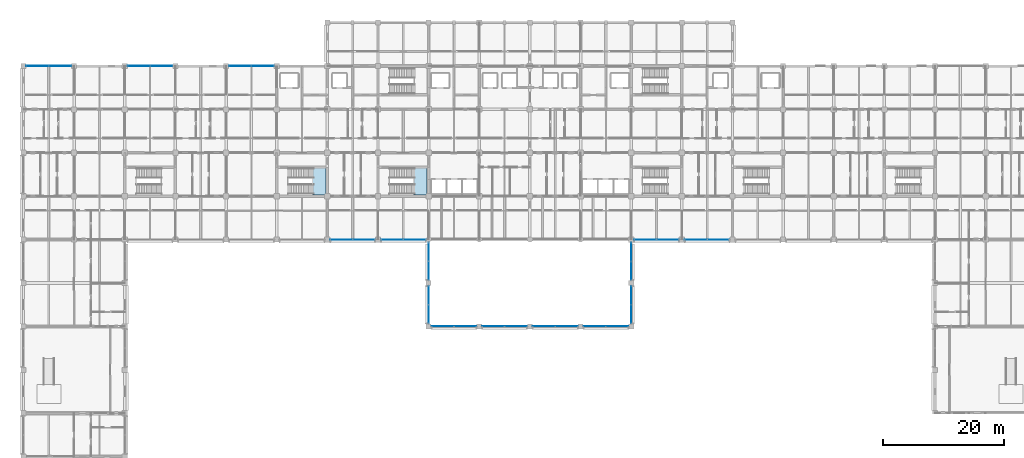
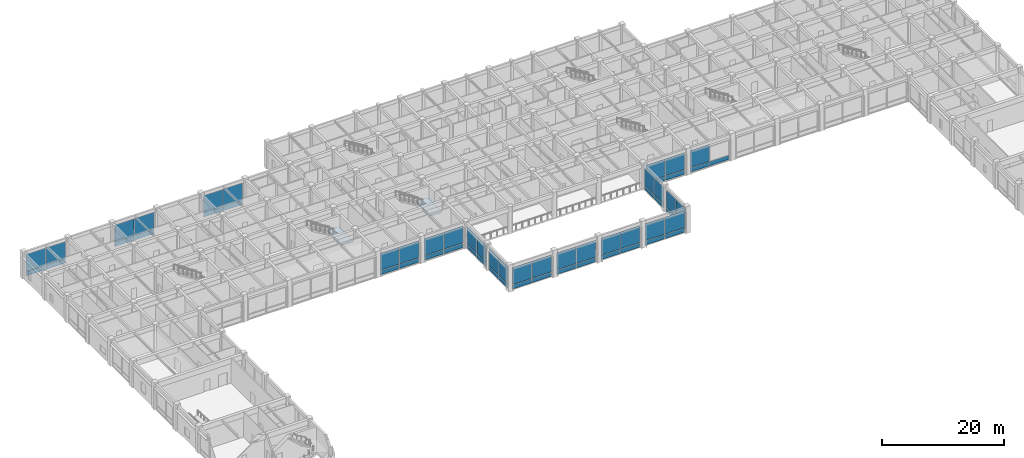
# One storey, part 18 of 51: 59 plates, 2 slabs, 17 elements without a shape of their own.
"""IFC4 building model written with IfcOpenShell, lengths in metres."""

from ifc_helpers import new_model, si_unit, direction, frame, origin, origin_2d, place, context, subcontext, project, spatial, polyline, rectangle, outline, extrude, material, layer, layer_set, type_object, element, aggregate, save


model = new_model("IFC4")

# Units and contexts
model_context = context("Model", 3, precision=1e-05, world=origin(), true_north=direction((0.0, 1.0)))
body_context = subcontext(model_context, "Body", "Model", "MODEL_VIEW")
ifc_project = project(units=[si_unit("LENGTHUNIT", "METRE"), si_unit("AREAUNIT", "SQUARE_METRE"), si_unit("VOLUMEUNIT", "CUBIC_METRE"), si_unit("PLANEANGLEUNIT", "RADIAN"), si_unit("MASSUNIT", "GRAM", prefix="KILO")], contexts=[model_context])

# Site, building, storey
site_placement = place(None, origin())
site = spatial("IfcSite", under=ifc_project, at=site_placement, CompositionType="ELEMENT")
building_placement = place(site_placement, origin())
building = spatial("IfcBuilding", under=site, at=building_placement, Name="Chengyuan Square Courthouse", CompositionType="ELEMENT")
storey_placement = place(building_placement, frame((0.0, 0.0, 10.800048828125)))
storey = spatial("IfcBuildingStorey", under=building, at=storey_placement, Name="L03", CompositionType="ELEMENT", Elevation=10.800048828125)

# Curtain wall, plates
ifc_material_1 = material(Name="Unitised Aluminium and Triple Low-E Glass", Category="aluminium")
ifc_layer_1 = layer(ifc_material_1, 0.199951171875)
ifc_layer_set_1 = layer_set([ifc_layer_1], Name="Unitised Aluminium and Triple Low-E Glass")
curtain_wall_type_1 = type_object("IfcCurtainWallType", Name="CW-07", PredefinedType="USERDEFINED", material=ifc_layer_set_1)
curtain_wall_1_placement = place(storey_placement, origin())
curtain_wall_1 = element("IfcCurtainWall", 1, at=curtain_wall_1_placement, inside=storey, type_object=curtain_wall_type_1, Name="Unitised Curtain Wall CW-L03-093", ObjectType="UNITISED CURTAIN WALL", PredefinedType="USERDEFINED")
ifc_material_2 = material(Name="Triple Low-E Insulating Glass", Category="glass")
ifc_layer_2 = layer(ifc_material_2, 0.02392578125)
ifc_layer_set_2 = layer_set([ifc_layer_2], Name="Triple Low-E Insulating Glass")
plate_type_1 = type_object("IfcPlateType", Name="CWP-01", PredefinedType="CURTAIN_PANEL", material=ifc_layer_set_2)
plate_1_placement = place(storey_placement, frame((2.330078125, 108.0, 0.06982421875), z_axis=(0.0, 0.0, 1.0), x_axis=(1.0, 0.0, 0.0)))
plate_1 = element("IfcPlate", 2, at=plate_1_placement, type_object=plate_type_1, Name="CW-07 panel 1.1", PredefinedType="CURTAIN_PANEL", context=body_context, shape_type="SweptSolid", body=[
    extrude(rectangle(XDim=3.669921875, YDim=0.02392578125, at=origin_2d()), origin(), (0.0, 0.0, 1.0), 0.844970703125),
])
plate_2_placement = place(storey_placement, frame((2.330078125, 108.0, 0.98486328125), z_axis=(0.0, 0.0, 1.0), x_axis=(1.0, 0.0, 0.0)))
plate_2 = element("IfcPlate", 3, at=plate_2_placement, type_object=plate_type_1, Name="CW-07 panel 1.2", PredefinedType="CURTAIN_PANEL", context=body_context, shape_type="SweptSolid", body=[
    extrude(rectangle(XDim=3.669921875, YDim=0.02392578125, at=origin_2d()), origin(), (0.0, 0.0, 1.0), 3.4150390625),
])
plate_3_placement = place(storey_placement, frame((6.070068359375, 108.0, 0.06982421875), z_axis=(0.0, 0.0, 1.0), x_axis=(1.0, 0.0, 0.0)))
plate_3 = element("IfcPlate", 4, at=plate_3_placement, type_object=plate_type_1, Name="CW-07 panel 2.1", PredefinedType="CURTAIN_PANEL", context=body_context, shape_type="SweptSolid", body=[
    extrude(rectangle(XDim=3.669921875, YDim=0.02392578125, at=origin_2d()), origin(), (0.0, 0.0, 1.0), 0.844970703125),
])
plate_4_placement = place(storey_placement, frame((6.070068359375, 108.0, 0.98486328125), z_axis=(0.0, 0.0, 1.0), x_axis=(1.0, 0.0, 0.0)))
plate_4 = element("IfcPlate", 5, at=plate_4_placement, type_object=plate_type_1, Name="CW-07 panel 2.2", PredefinedType="CURTAIN_PANEL", context=body_context, shape_type="SweptSolid", body=[
    extrude(rectangle(XDim=3.669921875, YDim=0.02392578125, at=origin_2d()), origin(), (0.0, 0.0, 1.0), 3.4150390625),
])
aggregate(curtain_wall_1, [plate_1, plate_2, plate_3, plate_4])

curtain_wall_2_placement = place(storey_placement, origin())
curtain_wall_2 = element("IfcCurtainWall", 6, at=curtain_wall_2_placement, inside=storey, type_object=curtain_wall_type_1, Name="Unitised Curtain Wall CW-L03-098", ObjectType="UNITISED CURTAIN WALL", PredefinedType="USERDEFINED")
plate_5_placement = place(storey_placement, frame((19.1298828125, 108.0, 0.06982421875), z_axis=(0.0, 0.0, 1.0), x_axis=(1.0, 0.0, 0.0)))
plate_5 = element("IfcPlate", 7, at=plate_5_placement, type_object=plate_type_1, Name="CW-07 panel 1.1", PredefinedType="CURTAIN_PANEL", context=body_context, shape_type="SweptSolid", body=[
    extrude(rectangle(XDim=3.669921875, YDim=0.02392578125, at=origin_2d()), origin(), (0.0, 0.0, 1.0), 0.844970703125),
])
plate_6_placement = place(storey_placement, frame((19.1298828125, 108.0, 0.98486328125), z_axis=(0.0, 0.0, 1.0), x_axis=(1.0, 0.0, 0.0)))
plate_6 = element("IfcPlate", 8, at=plate_6_placement, type_object=plate_type_1, Name="CW-07 panel 1.2", PredefinedType="CURTAIN_PANEL", context=body_context, shape_type="SweptSolid", body=[
    extrude(rectangle(XDim=3.669921875, YDim=0.02392578125, at=origin_2d()), origin(), (0.0, 0.0, 1.0), 3.4150390625),
])
plate_7_placement = place(storey_placement, frame((22.8701171875, 108.0, 0.06982421875), z_axis=(0.0, 0.0, 1.0), x_axis=(1.0, 0.0, 0.0)))
plate_7 = element("IfcPlate", 9, at=plate_7_placement, type_object=plate_type_1, Name="CW-07 panel 2.1", PredefinedType="CURTAIN_PANEL", context=body_context, shape_type="SweptSolid", body=[
    extrude(rectangle(XDim=3.669921875, YDim=0.02392578125, at=origin_2d()), origin(), (0.0, 0.0, 1.0), 0.844970703125),
])
plate_8_placement = place(storey_placement, frame((22.8701171875, 108.0, 0.98486328125), z_axis=(0.0, 0.0, 1.0), x_axis=(1.0, 0.0, 0.0)))
plate_8 = element("IfcPlate", 10, at=plate_8_placement, type_object=plate_type_1, Name="CW-07 panel 2.2", PredefinedType="CURTAIN_PANEL", context=body_context, shape_type="SweptSolid", body=[
    extrude(rectangle(XDim=3.669921875, YDim=0.02392578125, at=origin_2d()), origin(), (0.0, 0.0, 1.0), 3.4150390625),
])
aggregate(curtain_wall_2, [plate_5, plate_6, plate_7, plate_8])

curtain_wall_3_placement = place(storey_placement, origin())
curtain_wall_3 = element("IfcCurtainWall", 11, at=curtain_wall_3_placement, inside=storey, type_object=curtain_wall_type_1, Name="Unitised Curtain Wall CW-L03-101", ObjectType="UNITISED CURTAIN WALL", PredefinedType="USERDEFINED")
plate_9_placement = place(storey_placement, frame((35.929931640625, 108.0, 0.06982421875), z_axis=(0.0, 0.0, 1.0), x_axis=(1.0, 0.0, 0.0)))
plate_9 = element("IfcPlate", 12, at=plate_9_placement, type_object=plate_type_1, Name="CW-07 panel 1.1", PredefinedType="CURTAIN_PANEL", context=body_context, shape_type="SweptSolid", body=[
    extrude(rectangle(XDim=3.669921875, YDim=0.02392578125, at=origin_2d()), origin(), (0.0, 0.0, 1.0), 0.844970703125),
])
plate_10_placement = place(storey_placement, frame((35.929931640625, 108.0, 0.98486328125), z_axis=(0.0, 0.0, 1.0), x_axis=(1.0, 0.0, 0.0)))
plate_10 = element("IfcPlate", 13, at=plate_10_placement, type_object=plate_type_1, Name="CW-07 panel 1.2", PredefinedType="CURTAIN_PANEL", context=body_context, shape_type="SweptSolid", body=[
    extrude(rectangle(XDim=3.669921875, YDim=0.02392578125, at=origin_2d()), origin(), (0.0, 0.0, 1.0), 3.4150390625),
])
plate_11_placement = place(storey_placement, frame((39.669921875, 108.0, 0.06982421875), z_axis=(0.0, 0.0, 1.0), x_axis=(1.0, 0.0, 0.0)))
plate_11 = element("IfcPlate", 14, at=plate_11_placement, type_object=plate_type_1, Name="CW-07 panel 2.1", PredefinedType="CURTAIN_PANEL", context=body_context, shape_type="SweptSolid", body=[
    extrude(rectangle(XDim=3.669921875, YDim=0.02392578125, at=origin_2d()), origin(), (0.0, 0.0, 1.0), 0.844970703125),
])
plate_12_placement = place(storey_placement, frame((39.669921875, 108.0, 0.98486328125), z_axis=(0.0, 0.0, 1.0), x_axis=(1.0, 0.0, 0.0)))
plate_12 = element("IfcPlate", 15, at=plate_12_placement, type_object=plate_type_1, Name="CW-07 panel 2.2", PredefinedType="CURTAIN_PANEL", context=body_context, shape_type="SweptSolid", body=[
    extrude(rectangle(XDim=3.669921875, YDim=0.02392578125, at=origin_2d()), origin(), (0.0, 0.0, 1.0), 3.4150390625),
])
aggregate(curtain_wall_3, [plate_9, plate_10, plate_11, plate_12])

curtain_wall_4_placement = place(storey_placement, origin())
curtain_wall_4 = element("IfcCurtainWall", 16, at=curtain_wall_4_placement, inside=storey, type_object=curtain_wall_type_1, Name="Unitised Curtain Wall CW-L03-103", ObjectType="UNITISED CURTAIN WALL", PredefinedType="USERDEFINED")
plate_13_placement = place(storey_placement, frame((52.742431640625, 79.199951171875, 0.06982421875), z_axis=(0.0, 0.0, 1.0), x_axis=(1.0, 0.0, 0.0)))
plate_13 = element("IfcPlate", 17, at=plate_13_placement, type_object=plate_type_1, Name="CW-07 panel 1.1", PredefinedType="CURTAIN_PANEL", context=body_context, shape_type="SweptSolid", body=[
    extrude(rectangle(XDim=3.64501953125, YDim=0.02392578125, at=origin_2d()), origin(), (0.0, 0.0, 1.0), 0.844970703125),
])
plate_14_placement = place(storey_placement, frame((52.742431640625, 79.199951171875, 0.98486328125), z_axis=(0.0, 0.0, 1.0), x_axis=(1.0, 0.0, 0.0)))
plate_14 = element("IfcPlate", 18, at=plate_14_placement, type_object=plate_type_1, Name="CW-07 panel 1.2", PredefinedType="CURTAIN_PANEL", context=body_context, shape_type="SweptSolid", body=[
    extrude(rectangle(XDim=3.64501953125, YDim=0.02392578125, at=origin_2d()), origin(), (0.0, 0.0, 1.0), 3.4150390625),
])
plate_15_placement = place(storey_placement, frame((56.45751953125, 79.199951171875, 0.06982421875), z_axis=(0.0, 0.0, 1.0), x_axis=(1.0, 0.0, 0.0)))
plate_15 = element("IfcPlate", 19, at=plate_15_placement, type_object=plate_type_1, Name="CW-07 panel 2.1", PredefinedType="CURTAIN_PANEL", context=body_context, shape_type="SweptSolid", body=[
    extrude(rectangle(XDim=3.64501953125, YDim=0.02392578125, at=origin_2d()), origin(), (0.0, 0.0, 1.0), 0.844970703125),
])
plate_16_placement = place(storey_placement, frame((56.45751953125, 79.199951171875, 0.98486328125), z_axis=(0.0, 0.0, 1.0), x_axis=(1.0, 0.0, 0.0)))
plate_16 = element("IfcPlate", 20, at=plate_16_placement, type_object=plate_type_1, Name="CW-07 panel 2.2", PredefinedType="CURTAIN_PANEL", context=body_context, shape_type="SweptSolid", body=[
    extrude(rectangle(XDim=3.64501953125, YDim=0.02392578125, at=origin_2d()), origin(), (0.0, 0.0, 1.0), 3.4150390625),
])
aggregate(curtain_wall_4, [plate_13, plate_14, plate_15, plate_16])

curtain_wall_5_placement = place(storey_placement, origin())
curtain_wall_5 = element("IfcCurtainWall", 21, at=curtain_wall_5_placement, inside=storey, type_object=curtain_wall_type_1, Name="Unitised Curtain Wall CW-L03-104", ObjectType="UNITISED CURTAIN WALL", PredefinedType="USERDEFINED")
plate_17_placement = place(storey_placement, frame((61.148681640625, 79.199951171875, 0.06982421875), z_axis=(0.0, 0.0, 1.0), x_axis=(1.0, 0.0, 0.0)))
plate_17 = element("IfcPlate", 22, at=plate_17_placement, type_object=plate_type_1, Name="CW-07 panel 1.1", PredefinedType="CURTAIN_PANEL", context=body_context, shape_type="SweptSolid", body=[
    extrude(rectangle(XDim=3.657470703125, YDim=0.02392578125, at=origin_2d()), origin(), (0.0, 0.0, 1.0), 0.844970703125),
])
plate_18_placement = place(storey_placement, frame((61.148681640625, 79.199951171875, 0.98486328125), z_axis=(0.0, 0.0, 1.0), x_axis=(1.0, 0.0, 0.0)))
plate_18 = element("IfcPlate", 23, at=plate_18_placement, type_object=plate_type_1, Name="CW-07 panel 1.2", PredefinedType="CURTAIN_PANEL", context=body_context, shape_type="SweptSolid", body=[
    extrude(rectangle(XDim=3.657470703125, YDim=0.02392578125, at=origin_2d()), origin(), (0.0, 0.0, 1.0), 3.4150390625),
])
plate_19_placement = place(storey_placement, frame((64.876220703125, 79.199951171875, 0.06982421875), z_axis=(0.0, 0.0, 1.0), x_axis=(1.0, 0.0, 0.0)))
plate_19 = element("IfcPlate", 24, at=plate_19_placement, type_object=plate_type_1, Name="CW-07 panel 2.1", PredefinedType="CURTAIN_PANEL", context=body_context, shape_type="SweptSolid", body=[
    extrude(rectangle(XDim=3.657470703125, YDim=0.02392578125, at=origin_2d()), origin(), (0.0, 0.0, 1.0), 0.844970703125),
])
plate_20_placement = place(storey_placement, frame((64.876220703125, 79.199951171875, 0.98486328125), z_axis=(0.0, 0.0, 1.0), x_axis=(1.0, 0.0, 0.0)))
plate_20 = element("IfcPlate", 25, at=plate_20_placement, type_object=plate_type_1, Name="CW-07 panel 2.2", PredefinedType="CURTAIN_PANEL", context=body_context, shape_type="SweptSolid", body=[
    extrude(rectangle(XDim=3.657470703125, YDim=0.02392578125, at=origin_2d()), origin(), (0.0, 0.0, 1.0), 3.4150390625),
])
aggregate(curtain_wall_5, [plate_17, plate_18, plate_19, plate_20])

curtain_wall_6_placement = place(storey_placement, origin())
curtain_wall_6 = element("IfcCurtainWall", 26, at=curtain_wall_6_placement, inside=storey, type_object=curtain_wall_type_1, Name="Unitised Curtain Wall CW-L03-105", ObjectType="UNITISED CURTAIN WALL", PredefinedType="USERDEFINED")
plate_21_placement = place(storey_placement, frame((69.530029296875, 64.800048828125, 0.06982421875), z_axis=(0.0, 0.0, 1.0), x_axis=(1.0, 0.0, 0.0)))
plate_21 = element("IfcPlate", 27, at=plate_21_placement, type_object=plate_type_1, Name="CW-07 panel 1.1", PredefinedType="CURTAIN_PANEL", context=body_context, shape_type="SweptSolid", body=[
    extrude(rectangle(XDim=3.669921875, YDim=0.02392578125, at=origin_2d()), origin(), (0.0, 0.0, 1.0), 0.844970703125),
])
plate_22_placement = place(storey_placement, frame((69.530029296875, 64.800048828125, 0.98486328125), z_axis=(0.0, 0.0, 1.0), x_axis=(1.0, 0.0, 0.0)))
plate_22 = element("IfcPlate", 28, at=plate_22_placement, type_object=plate_type_1, Name="CW-07 panel 1.2", PredefinedType="CURTAIN_PANEL", context=body_context, shape_type="SweptSolid", body=[
    extrude(rectangle(XDim=3.669921875, YDim=0.02392578125, at=origin_2d()), origin(), (0.0, 0.0, 1.0), 3.4150390625),
])
plate_23_placement = place(storey_placement, frame((73.27001953125, 64.800048828125, 0.06982421875), z_axis=(0.0, 0.0, 1.0), x_axis=(1.0, 0.0, 0.0)))
plate_23 = element("IfcPlate", 29, at=plate_23_placement, type_object=plate_type_1, Name="CW-07 panel 2.1", PredefinedType="CURTAIN_PANEL", context=body_context, shape_type="SweptSolid", body=[
    extrude(rectangle(XDim=3.669921875, YDim=0.02392578125, at=origin_2d()), origin(), (0.0, 0.0, 1.0), 0.844970703125),
])
plate_24_placement = place(storey_placement, frame((73.27001953125, 64.800048828125, 0.98486328125), z_axis=(0.0, 0.0, 1.0), x_axis=(1.0, 0.0, 0.0)))
plate_24 = element("IfcPlate", 30, at=plate_24_placement, type_object=plate_type_1, Name="CW-07 panel 2.2", PredefinedType="CURTAIN_PANEL", context=body_context, shape_type="SweptSolid", body=[
    extrude(rectangle(XDim=3.669921875, YDim=0.02392578125, at=origin_2d()), origin(), (0.0, 0.0, 1.0), 3.4150390625),
])
aggregate(curtain_wall_6, [plate_21, plate_22, plate_23, plate_24])

curtain_wall_7_placement = place(storey_placement, origin())
curtain_wall_7 = element("IfcCurtainWall", 31, at=curtain_wall_7_placement, inside=storey, type_object=curtain_wall_type_1, Name="Unitised Curtain Wall CW-L03-108", ObjectType="UNITISED CURTAIN WALL", PredefinedType="USERDEFINED")
plate_25_placement = place(storey_placement, frame((77.929931640625, 64.800048828125, 0.06982421875), z_axis=(0.0, 0.0, 1.0), x_axis=(1.0, 0.0, 0.0)))
plate_25 = element("IfcPlate", 32, at=plate_25_placement, type_object=plate_type_1, Name="CW-07 panel 1.1", PredefinedType="CURTAIN_PANEL", context=body_context, shape_type="SweptSolid", body=[
    extrude(rectangle(XDim=3.669921875, YDim=0.02392578125, at=origin_2d()), origin(), (0.0, 0.0, 1.0), 0.844970703125),
])
plate_26_placement = place(storey_placement, frame((77.929931640625, 64.800048828125, 0.98486328125), z_axis=(0.0, 0.0, 1.0), x_axis=(1.0, 0.0, 0.0)))
plate_26 = element("IfcPlate", 33, at=plate_26_placement, type_object=plate_type_1, Name="CW-07 panel 1.2", PredefinedType="CURTAIN_PANEL", context=body_context, shape_type="SweptSolid", body=[
    extrude(rectangle(XDim=3.669921875, YDim=0.02392578125, at=origin_2d()), origin(), (0.0, 0.0, 1.0), 3.4150390625),
])
plate_27_placement = place(storey_placement, frame((81.669921875, 64.800048828125, 0.06982421875), z_axis=(0.0, 0.0, 1.0), x_axis=(1.0, 0.0, 0.0)))
plate_27 = element("IfcPlate", 34, at=plate_27_placement, type_object=plate_type_1, Name="CW-07 panel 2.1", PredefinedType="CURTAIN_PANEL", context=body_context, shape_type="SweptSolid", body=[
    extrude(rectangle(XDim=3.669921875, YDim=0.02392578125, at=origin_2d()), origin(), (0.0, 0.0, 1.0), 0.844970703125),
])
plate_28_placement = place(storey_placement, frame((81.669921875, 64.800048828125, 0.98486328125), z_axis=(0.0, 0.0, 1.0), x_axis=(1.0, 0.0, 0.0)))
plate_28 = element("IfcPlate", 35, at=plate_28_placement, type_object=plate_type_1, Name="CW-07 panel 2.2", PredefinedType="CURTAIN_PANEL", context=body_context, shape_type="SweptSolid", body=[
    extrude(rectangle(XDim=3.669921875, YDim=0.02392578125, at=origin_2d()), origin(), (0.0, 0.0, 1.0), 3.4150390625),
])
aggregate(curtain_wall_7, [plate_25, plate_26, plate_27, plate_28])

curtain_wall_8_placement = place(storey_placement, origin())
curtain_wall_8 = element("IfcCurtainWall", 36, at=curtain_wall_8_placement, inside=storey, type_object=curtain_wall_type_1, Name="Unitised Curtain Wall CW-L03-109", ObjectType="UNITISED CURTAIN WALL", PredefinedType="USERDEFINED")
plate_29_placement = place(storey_placement, frame((86.330078125, 64.800048828125, 0.06982421875), z_axis=(0.0, 0.0, 1.0), x_axis=(1.0, 0.0, 0.0)))
plate_29 = element("IfcPlate", 37, at=plate_29_placement, type_object=plate_type_1, Name="CW-07 panel 1.1", PredefinedType="CURTAIN_PANEL", context=body_context, shape_type="SweptSolid", body=[
    extrude(rectangle(XDim=3.669921875, YDim=0.02392578125, at=origin_2d()), origin(), (0.0, 0.0, 1.0), 0.844970703125),
])
plate_30_placement = place(storey_placement, frame((86.330078125, 64.800048828125, 0.98486328125), z_axis=(0.0, 0.0, 1.0), x_axis=(1.0, 0.0, 0.0)))
plate_30 = element("IfcPlate", 38, at=plate_30_placement, type_object=plate_type_1, Name="CW-07 panel 1.2", PredefinedType="CURTAIN_PANEL", context=body_context, shape_type="SweptSolid", body=[
    extrude(rectangle(XDim=3.669921875, YDim=0.02392578125, at=origin_2d()), origin(), (0.0, 0.0, 1.0), 3.4150390625),
])
plate_31_placement = place(storey_placement, frame((90.070068359375, 64.800048828125, 0.06982421875), z_axis=(0.0, 0.0, 1.0), x_axis=(1.0, 0.0, 0.0)))
plate_31 = element("IfcPlate", 39, at=plate_31_placement, type_object=plate_type_1, Name="CW-07 panel 2.1", PredefinedType="CURTAIN_PANEL", context=body_context, shape_type="SweptSolid", body=[
    extrude(rectangle(XDim=3.669921875, YDim=0.02392578125, at=origin_2d()), origin(), (0.0, 0.0, 1.0), 0.844970703125),
])
plate_32_placement = place(storey_placement, frame((90.070068359375, 64.800048828125, 0.98486328125), z_axis=(0.0, 0.0, 1.0), x_axis=(1.0, 0.0, 0.0)))
plate_32 = element("IfcPlate", 40, at=plate_32_placement, type_object=plate_type_1, Name="CW-07 panel 2.2", PredefinedType="CURTAIN_PANEL", context=body_context, shape_type="SweptSolid", body=[
    extrude(rectangle(XDim=3.669921875, YDim=0.02392578125, at=origin_2d()), origin(), (0.0, 0.0, 1.0), 3.4150390625),
])
aggregate(curtain_wall_8, [plate_29, plate_30, plate_31, plate_32])

curtain_wall_9_placement = place(storey_placement, origin())
curtain_wall_9 = element("IfcCurtainWall", 41, at=curtain_wall_9_placement, inside=storey, type_object=curtain_wall_type_1, Name="Unitised Curtain Wall CW-L03-110", ObjectType="UNITISED CURTAIN WALL", PredefinedType="USERDEFINED")
plate_33_placement = place(storey_placement, frame((94.72998046875, 64.800048828125, 0.06982421875), z_axis=(0.0, 0.0, 1.0), x_axis=(1.0, 0.0, 0.0)))
plate_33 = element("IfcPlate", 42, at=plate_33_placement, type_object=plate_type_1, Name="CW-07 panel 1.1", PredefinedType="CURTAIN_PANEL", context=body_context, shape_type="SweptSolid", body=[
    extrude(rectangle(XDim=3.669921875, YDim=0.02392578125, at=origin_2d()), origin(), (0.0, 0.0, 1.0), 0.844970703125),
])
plate_34_placement = place(storey_placement, frame((94.72998046875, 64.800048828125, 0.98486328125), z_axis=(0.0, 0.0, 1.0), x_axis=(1.0, 0.0, 0.0)))
plate_34 = element("IfcPlate", 43, at=plate_34_placement, type_object=plate_type_1, Name="CW-07 panel 1.2", PredefinedType="CURTAIN_PANEL", context=body_context, shape_type="SweptSolid", body=[
    extrude(rectangle(XDim=3.669921875, YDim=0.02392578125, at=origin_2d()), origin(), (0.0, 0.0, 1.0), 3.4150390625),
])
plate_35_placement = place(storey_placement, frame((98.469970703125, 64.800048828125, 0.06982421875), z_axis=(0.0, 0.0, 1.0), x_axis=(1.0, 0.0, 0.0)))
plate_35 = element("IfcPlate", 44, at=plate_35_placement, type_object=plate_type_1, Name="CW-07 panel 2.1", PredefinedType="CURTAIN_PANEL", context=body_context, shape_type="SweptSolid", body=[
    extrude(rectangle(XDim=3.669921875, YDim=0.02392578125, at=origin_2d()), origin(), (0.0, 0.0, 1.0), 0.844970703125),
])
plate_36_placement = place(storey_placement, frame((98.469970703125, 64.800048828125, 0.98486328125), z_axis=(0.0, 0.0, 1.0), x_axis=(1.0, 0.0, 0.0)))
plate_36 = element("IfcPlate", 45, at=plate_36_placement, type_object=plate_type_1, Name="CW-07 panel 2.2", PredefinedType="CURTAIN_PANEL", context=body_context, shape_type="SweptSolid", body=[
    extrude(rectangle(XDim=3.669921875, YDim=0.02392578125, at=origin_2d()), origin(), (0.0, 0.0, 1.0), 3.4150390625),
])
aggregate(curtain_wall_9, [plate_33, plate_34, plate_35, plate_36])

curtain_wall_10_placement = place(storey_placement, origin())
curtain_wall_10 = element("IfcCurtainWall", 46, at=curtain_wall_10_placement, inside=storey, type_object=curtain_wall_type_1, Name="Unitised Curtain Wall CW-L03-113", ObjectType="UNITISED CURTAIN WALL", PredefinedType="USERDEFINED")
plate_37_placement = place(storey_placement, frame((103.142578125, 79.199951171875, 0.06982421875), z_axis=(0.0, 0.0, 1.0), x_axis=(1.0, 0.0, 0.0)))
plate_37 = element("IfcPlate", 47, at=plate_37_placement, type_object=plate_type_1, Name="CW-07 panel 1.1", PredefinedType="CURTAIN_PANEL", context=body_context, shape_type="SweptSolid", body=[
    extrude(rectangle(XDim=3.64501953125, YDim=0.02392578125, at=origin_2d()), origin(), (0.0, 0.0, 1.0), 0.844970703125),
])
plate_38_placement = place(storey_placement, frame((103.142578125, 79.199951171875, 0.98486328125), z_axis=(0.0, 0.0, 1.0), x_axis=(1.0, 0.0, 0.0)))
plate_38 = element("IfcPlate", 48, at=plate_38_placement, type_object=plate_type_1, Name="CW-07 panel 1.2", PredefinedType="CURTAIN_PANEL", context=body_context, shape_type="SweptSolid", body=[
    extrude(rectangle(XDim=3.64501953125, YDim=0.02392578125, at=origin_2d()), origin(), (0.0, 0.0, 1.0), 3.4150390625),
])
plate_39_placement = place(storey_placement, frame((106.857421875, 79.199951171875, 0.06982421875), z_axis=(0.0, 0.0, 1.0), x_axis=(1.0, 0.0, 0.0)))
plate_39 = element("IfcPlate", 49, at=plate_39_placement, type_object=plate_type_1, Name="CW-07 panel 2.1", PredefinedType="CURTAIN_PANEL", context=body_context, shape_type="SweptSolid", body=[
    extrude(rectangle(XDim=3.64501953125, YDim=0.02392578125, at=origin_2d()), origin(), (0.0, 0.0, 1.0), 0.844970703125),
])
plate_40_placement = place(storey_placement, frame((106.857421875, 79.199951171875, 0.98486328125), z_axis=(0.0, 0.0, 1.0), x_axis=(1.0, 0.0, 0.0)))
plate_40 = element("IfcPlate", 50, at=plate_40_placement, type_object=plate_type_1, Name="CW-07 panel 2.2", PredefinedType="CURTAIN_PANEL", context=body_context, shape_type="SweptSolid", body=[
    extrude(rectangle(XDim=3.64501953125, YDim=0.02392578125, at=origin_2d()), origin(), (0.0, 0.0, 1.0), 3.4150390625),
])
aggregate(curtain_wall_10, [plate_37, plate_38, plate_39, plate_40])

curtain_wall_11_placement = place(storey_placement, origin())
curtain_wall_11 = element("IfcCurtainWall", 51, at=curtain_wall_11_placement, inside=storey, type_object=curtain_wall_type_1, Name="Unitised Curtain Wall CW-L03-114", ObjectType="UNITISED CURTAIN WALL", PredefinedType="USERDEFINED")
plate_41_placement = place(storey_placement, frame((111.54248046875, 79.199951171875, 0.06982421875), z_axis=(0.0, 0.0, 1.0), x_axis=(1.0, 0.0, 0.0)))
plate_41 = element("IfcPlate", 52, at=plate_41_placement, type_object=plate_type_1, Name="CW-07 panel 1.1", PredefinedType="CURTAIN_PANEL", context=body_context, shape_type="SweptSolid", body=[
    extrude(rectangle(XDim=3.64501953125, YDim=0.02392578125, at=origin_2d()), origin(), (0.0, 0.0, 1.0), 0.844970703125),
])
plate_42_placement = place(storey_placement, frame((111.54248046875, 79.199951171875, 0.98486328125), z_axis=(0.0, 0.0, 1.0), x_axis=(1.0, 0.0, 0.0)))
plate_42 = element("IfcPlate", 53, at=plate_42_placement, type_object=plate_type_1, Name="CW-07 panel 1.2", PredefinedType="CURTAIN_PANEL", context=body_context, shape_type="SweptSolid", body=[
    extrude(rectangle(XDim=3.64501953125, YDim=0.02392578125, at=origin_2d()), origin(), (0.0, 0.0, 1.0), 3.4150390625),
])
plate_43_placement = place(storey_placement, frame((115.257568359375, 79.199951171875, 0.06982421875), z_axis=(0.0, 0.0, 1.0), x_axis=(1.0, 0.0, 0.0)))
plate_43 = element("IfcPlate", 54, at=plate_43_placement, type_object=plate_type_1, Name="CW-07 panel 2.1", PredefinedType="CURTAIN_PANEL", context=body_context, shape_type="SweptSolid", body=[
    extrude(rectangle(XDim=3.64501953125, YDim=0.02392578125, at=origin_2d()), origin(), (0.0, 0.0, 1.0), 0.844970703125),
])
aggregate(curtain_wall_11, [plate_41, plate_42, plate_43])

ifc_layer_3 = layer(ifc_material_1, 0.219970703125)
ifc_layer_set_3 = layer_set([ifc_layer_3], Name="Unitised Aluminium and Triple Low-E Glass")
curtain_wall_type_2 = type_object("IfcCurtainWallType", Name="CW-20", PredefinedType="USERDEFINED", material=ifc_layer_set_3)
curtain_wall_12_placement = place(storey_placement, origin())
curtain_wall_12 = element("IfcCurtainWall", 55, at=curtain_wall_12_placement, inside=storey, type_object=curtain_wall_type_2, Name="Unitised Curtain Wall CW-L03-106", ObjectType="UNITISED CURTAIN WALL", PredefinedType="USERDEFINED")
ifc_layer_4 = layer(ifc_material_2, 0.031982421875)
ifc_layer_set_4 = layer_set([ifc_layer_4], Name="Triple Low-E Insulating Glass")
plate_type_2 = type_object("IfcPlateType", Name="CWP-02", PredefinedType="CURTAIN_PANEL", material=ifc_layer_set_4)
plate_44_placement = place(storey_placement, frame((67.199951171875, 66.83251953125, 0.079833984375), z_axis=(0.0, 0.0, 1.0), x_axis=(0.0, 1.0, 0.0)))
plate_44 = element("IfcPlate", 56, at=plate_44_placement, type_object=plate_type_2, Name="CW-20 panel 1.1", PredefinedType="CURTAIN_PANEL", context=body_context, shape_type="SweptSolid", body=[
    extrude(rectangle(XDim=3.054931640625, YDim=0.031982421875, at=origin_2d()), origin(), (0.0, 0.0, 1.0), 0.830078125),
])
plate_45_placement = place(storey_placement, frame((67.199951171875, 66.83251953125, 0.989990234375), z_axis=(0.0, 0.0, 1.0), x_axis=(0.0, 1.0, 0.0)))
plate_45 = element("IfcPlate", 57, at=plate_45_placement, type_object=plate_type_2, Name="CW-20 panel 1.2", PredefinedType="CURTAIN_PANEL", context=body_context, shape_type="SweptSolid", body=[
    extrude(rectangle(XDim=3.054931640625, YDim=0.031982421875, at=origin_2d()), origin(), (0.0, 0.0, 1.0), 3.39990234375),
])
plate_46_placement = place(storey_placement, frame((67.199951171875, 69.967529296875, 0.079833984375), z_axis=(0.0, 0.0, 1.0), x_axis=(0.0, 1.0, 0.0)))
plate_46 = element("IfcPlate", 58, at=plate_46_placement, type_object=plate_type_2, Name="CW-20 panel 2.1", PredefinedType="CURTAIN_PANEL", context=body_context, shape_type="SweptSolid", body=[
    extrude(rectangle(XDim=3.054931640625, YDim=0.031982421875, at=origin_2d()), origin(), (0.0, 0.0, 1.0), 0.830078125),
])
plate_47_placement = place(storey_placement, frame((67.199951171875, 69.967529296875, 0.989990234375), z_axis=(0.0, 0.0, 1.0), x_axis=(0.0, 1.0, 0.0)))
plate_47 = element("IfcPlate", 59, at=plate_47_placement, type_object=plate_type_2, Name="CW-20 panel 2.2", PredefinedType="CURTAIN_PANEL", context=body_context, shape_type="SweptSolid", body=[
    extrude(rectangle(XDim=3.054931640625, YDim=0.031982421875, at=origin_2d()), origin(), (0.0, 0.0, 1.0), 3.39990234375),
])
aggregate(curtain_wall_12, [plate_44, plate_45, plate_46, plate_47])

curtain_wall_13_placement = place(storey_placement, origin())
curtain_wall_13 = element("IfcCurtainWall", 60, at=curtain_wall_13_placement, inside=storey, type_object=curtain_wall_type_2, Name="Unitised Curtain Wall CW-L03-107", ObjectType="UNITISED CURTAIN WALL", PredefinedType="USERDEFINED")
plate_48_placement = place(storey_placement, frame((67.199951171875, 74.032470703125, 0.079833984375), z_axis=(0.0, 0.0, 1.0), x_axis=(0.0, 1.0, 0.0)))
plate_48 = element("IfcPlate", 61, at=plate_48_placement, type_object=plate_type_2, Name="CW-20 panel 1.1", PredefinedType="CURTAIN_PANEL", context=body_context, shape_type="SweptSolid", body=[
    extrude(rectangle(XDim=3.054931640625, YDim=0.031982421875, at=origin_2d()), origin(), (0.0, 0.0, 1.0), 0.830078125),
])
plate_49_placement = place(storey_placement, frame((67.199951171875, 74.032470703125, 0.989990234375), z_axis=(0.0, 0.0, 1.0), x_axis=(0.0, 1.0, 0.0)))
plate_49 = element("IfcPlate", 62, at=plate_49_placement, type_object=plate_type_2, Name="CW-20 panel 1.2", PredefinedType="CURTAIN_PANEL", context=body_context, shape_type="SweptSolid", body=[
    extrude(rectangle(XDim=3.054931640625, YDim=0.031982421875, at=origin_2d()), origin(), (0.0, 0.0, 1.0), 3.39990234375),
])
plate_50_placement = place(storey_placement, frame((67.199951171875, 77.16748046875, 0.079833984375), z_axis=(0.0, 0.0, 1.0), x_axis=(0.0, 1.0, 0.0)))
plate_50 = element("IfcPlate", 63, at=plate_50_placement, type_object=plate_type_2, Name="CW-20 panel 2.1", PredefinedType="CURTAIN_PANEL", context=body_context, shape_type="SweptSolid", body=[
    extrude(rectangle(XDim=3.054931640625, YDim=0.031982421875, at=origin_2d()), origin(), (0.0, 0.0, 1.0), 0.830078125),
])
plate_51_placement = place(storey_placement, frame((67.199951171875, 77.16748046875, 0.989990234375), z_axis=(0.0, 0.0, 1.0), x_axis=(0.0, 1.0, 0.0)))
plate_51 = element("IfcPlate", 64, at=plate_51_placement, type_object=plate_type_2, Name="CW-20 panel 2.2", PredefinedType="CURTAIN_PANEL", context=body_context, shape_type="SweptSolid", body=[
    extrude(rectangle(XDim=3.054931640625, YDim=0.031982421875, at=origin_2d()), origin(), (0.0, 0.0, 1.0), 3.39990234375),
])
aggregate(curtain_wall_13, [plate_48, plate_49, plate_50, plate_51])

curtain_wall_14_placement = place(storey_placement, origin())
curtain_wall_14 = element("IfcCurtainWall", 65, at=curtain_wall_14_placement, inside=storey, type_object=curtain_wall_type_2, Name="Unitised Curtain Wall CW-L03-111", ObjectType="UNITISED CURTAIN WALL", PredefinedType="USERDEFINED")
plate_52_placement = place(storey_placement, frame((100.800048828125, 66.83251953125, 0.079833984375), z_axis=(0.0, 0.0, 1.0), x_axis=(0.0, 1.0, 0.0)))
plate_52 = element("IfcPlate", 66, at=plate_52_placement, type_object=plate_type_2, Name="CW-20 panel 1.1", PredefinedType="CURTAIN_PANEL", context=body_context, shape_type="SweptSolid", body=[
    extrude(rectangle(XDim=3.054931640625, YDim=0.031982421875, at=origin_2d()), origin(), (0.0, 0.0, 1.0), 0.830078125),
])
plate_53_placement = place(storey_placement, frame((100.800048828125, 66.83251953125, 0.989990234375), z_axis=(0.0, 0.0, 1.0), x_axis=(0.0, 1.0, 0.0)))
plate_53 = element("IfcPlate", 67, at=plate_53_placement, type_object=plate_type_2, Name="CW-20 panel 1.2", PredefinedType="CURTAIN_PANEL", context=body_context, shape_type="SweptSolid", body=[
    extrude(rectangle(XDim=3.054931640625, YDim=0.031982421875, at=origin_2d()), origin(), (0.0, 0.0, 1.0), 3.39990234375),
])
plate_54_placement = place(storey_placement, frame((100.800048828125, 69.967529296875, 0.079833984375), z_axis=(0.0, 0.0, 1.0), x_axis=(0.0, 1.0, 0.0)))
plate_54 = element("IfcPlate", 68, at=plate_54_placement, type_object=plate_type_2, Name="CW-20 panel 2.1", PredefinedType="CURTAIN_PANEL", context=body_context, shape_type="SweptSolid", body=[
    extrude(rectangle(XDim=3.054931640625, YDim=0.031982421875, at=origin_2d()), origin(), (0.0, 0.0, 1.0), 0.830078125),
])
plate_55_placement = place(storey_placement, frame((100.800048828125, 69.967529296875, 0.989990234375), z_axis=(0.0, 0.0, 1.0), x_axis=(0.0, 1.0, 0.0)))
plate_55 = element("IfcPlate", 69, at=plate_55_placement, type_object=plate_type_2, Name="CW-20 panel 2.2", PredefinedType="CURTAIN_PANEL", context=body_context, shape_type="SweptSolid", body=[
    extrude(rectangle(XDim=3.054931640625, YDim=0.031982421875, at=origin_2d()), origin(), (0.0, 0.0, 1.0), 3.39990234375),
])
aggregate(curtain_wall_14, [plate_52, plate_53, plate_54, plate_55])

curtain_wall_15_placement = place(storey_placement, origin())
curtain_wall_15 = element("IfcCurtainWall", 70, at=curtain_wall_15_placement, inside=storey, type_object=curtain_wall_type_2, Name="Unitised Curtain Wall CW-L03-112", ObjectType="UNITISED CURTAIN WALL", PredefinedType="USERDEFINED")
plate_56_placement = place(storey_placement, frame((100.800048828125, 74.0263671875, 0.079833984375), z_axis=(0.0, 0.0, 1.0), x_axis=(0.0, 1.0, 0.0)))
plate_56 = element("IfcPlate", 71, at=plate_56_placement, type_object=plate_type_2, Name="CW-20 panel 1.1", PredefinedType="CURTAIN_PANEL", context=body_context, shape_type="SweptSolid", body=[
    extrude(rectangle(XDim=3.04248046875, YDim=0.031982421875, at=origin_2d()), origin(), (0.0, 0.0, 1.0), 0.830078125),
])
plate_57_placement = place(storey_placement, frame((100.800048828125, 74.0263671875, 0.989990234375), z_axis=(0.0, 0.0, 1.0), x_axis=(0.0, 1.0, 0.0)))
plate_57 = element("IfcPlate", 72, at=plate_57_placement, type_object=plate_type_2, Name="CW-20 panel 1.2", PredefinedType="CURTAIN_PANEL", context=body_context, shape_type="SweptSolid", body=[
    extrude(rectangle(XDim=3.04248046875, YDim=0.031982421875, at=origin_2d()), origin(), (0.0, 0.0, 1.0), 3.39990234375),
])
plate_58_placement = place(storey_placement, frame((100.800048828125, 77.148681640625, 0.079833984375), z_axis=(0.0, 0.0, 1.0), x_axis=(0.0, 1.0, 0.0)))
plate_58 = element("IfcPlate", 73, at=plate_58_placement, type_object=plate_type_2, Name="CW-20 panel 2.1", PredefinedType="CURTAIN_PANEL", context=body_context, shape_type="SweptSolid", body=[
    extrude(rectangle(XDim=3.04248046875, YDim=0.031982421875, at=origin_2d()), origin(), (0.0, 0.0, 1.0), 0.830078125),
])
plate_59_placement = place(storey_placement, frame((100.800048828125, 77.148681640625, 0.989990234375), z_axis=(0.0, 0.0, 1.0), x_axis=(0.0, 1.0, 0.0)))
plate_59 = element("IfcPlate", 74, at=plate_59_placement, type_object=plate_type_2, Name="CW-20 panel 2.2", PredefinedType="CURTAIN_PANEL", context=body_context, shape_type="SweptSolid", body=[
    extrude(rectangle(XDim=3.04248046875, YDim=0.031982421875, at=origin_2d()), origin(), (0.0, 0.0, 1.0), 3.39990234375),
])
aggregate(curtain_wall_15, [plate_56, plate_57, plate_58, plate_59])

# Stair, slab
ifc_material_3 = material(Name="Concrete C40", Category="concrete")
stair_type_1 = type_object("IfcStairType", Name="ST-TYPE-03", PredefinedType="HALF_TURN_STAIR", material=ifc_material_3)
stair_1_placement = place(storey_placement, origin())
stair_1 = element("IfcStair", 75, at=stair_1_placement, inside=storey, type_object=stair_type_1, Name="Smoke-Proof Exit Stair ST-3 (L03 to L04)", PredefinedType="HALF_TURN_STAIR")
ifc_layer_5 = layer(ifc_material_3, 0.18994140625)
ifc_layer_set_5 = layer_set([ifc_layer_5], Name="Concrete C40")
slab_type = type_object("IfcSlabType", Name="SL-LND1", PredefinedType="LANDING", material=ifc_layer_set_5)
slab_1_placement = place(storey_placement, frame((0.0, 0.0, 2.510009765625)))
slab_1 = element("IfcSlab", 76, at=slab_1_placement, type_object=slab_type, Name="ST-3 landing 1", PredefinedType="LANDING", context=body_context, shape_type="SweptSolid", body=[
    extrude(outline(polyline([(64.72998046875, 86.56005859375), (66.93994140625, 86.56005859375), (66.93994140625, 91.239990234375), (64.72998046875, 91.239990234375), (64.72998046875, 86.56005859375)])), origin(), (0.0, 0.0, 1.0), 0.18994140625),
])
aggregate(stair_1, [slab_1])

stair_type_2 = type_object("IfcStairType", Name="ST-TYPE-05", PredefinedType="HALF_TURN_STAIR", material=ifc_material_3)
stair_2_placement = place(storey_placement, origin())
stair_2 = element("IfcStair", 77, at=stair_2_placement, inside=storey, type_object=stair_type_2, Name="Smoke-Proof Exit Stair ST-5 (L03 to L04)", PredefinedType="HALF_TURN_STAIR")
slab_2_placement = place(storey_placement, frame((0.0, 0.0, 2.510009765625)))
slab_2 = element("IfcSlab", 78, at=slab_2_placement, type_object=slab_type, Name="ST-5 landing 1", PredefinedType="LANDING", context=body_context, shape_type="SweptSolid", body=[
    extrude(outline(polyline([(47.929931640625, 86.56005859375), (50.139892578125, 86.56005859375), (50.139892578125, 91.239990234375), (47.929931640625, 91.239990234375), (47.929931640625, 86.56005859375)])), origin(), (0.0, 0.0, 1.0), 0.18994140625),
])
aggregate(stair_2, [slab_2])

save(model, "model.ifc")
